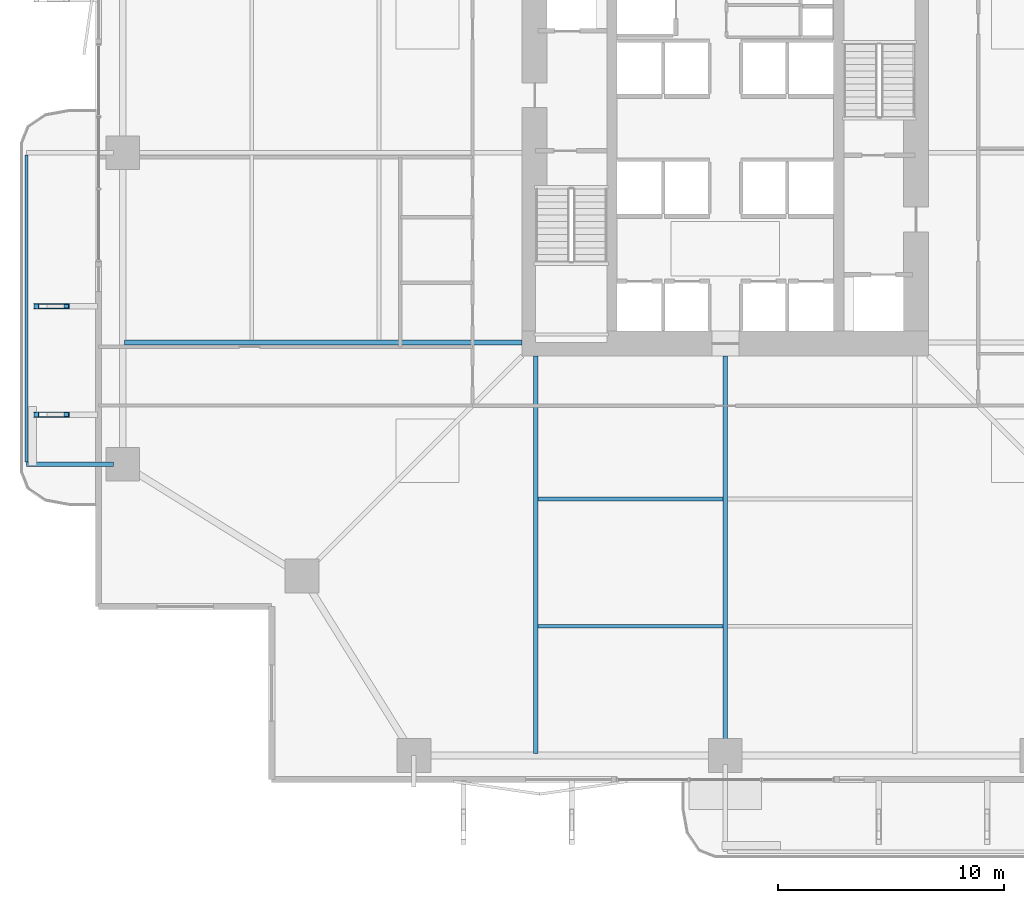
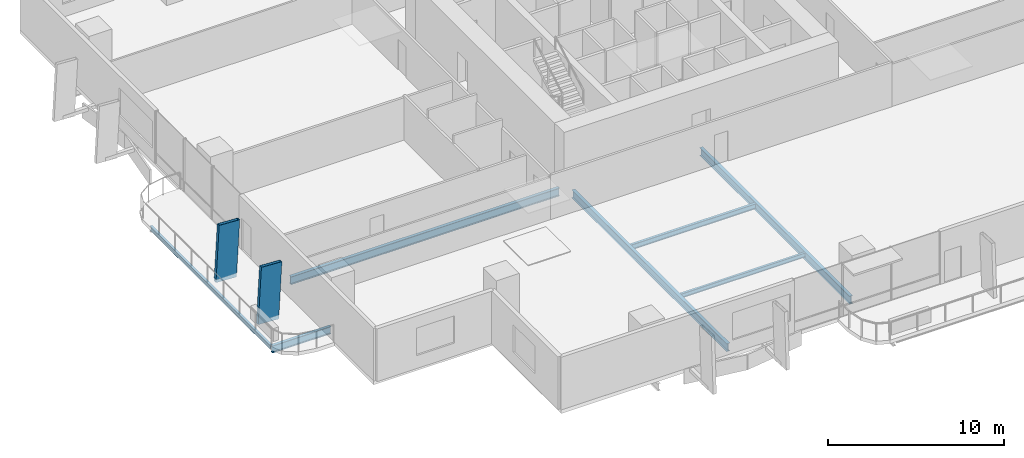
# One storey, part 3 of 23: 7 beams, 2 members.
"""IFC4 building model written with IfcOpenShell, lengths in metres."""

from ifc_helpers import new_model, si_unit, direction, frame, origin, origin_2d, place, context, subcontext, project, spatial, hollow_rectangle, i_section, extrude, material, material_profile, profile_set, type_object, element, save


model = new_model("IFC4")

# Units and contexts
model_context = context("Model", 3, precision=1e-05, world=origin(), true_north=direction((0.0, 1.0)))
body_context = subcontext(model_context, "Body", "Model", "MODEL_VIEW")
ifc_project = project(units=[si_unit("LENGTHUNIT", "METRE"), si_unit("AREAUNIT", "SQUARE_METRE"), si_unit("VOLUMEUNIT", "CUBIC_METRE"), si_unit("PLANEANGLEUNIT", "RADIAN"), si_unit("MASSUNIT", "GRAM", prefix="KILO")], contexts=[model_context])

# Site, building, storey
site_placement = place(None, origin())
site = spatial("IfcSite", under=ifc_project, at=site_placement, CompositionType="ELEMENT")
building_placement = place(site_placement, origin())
building = spatial("IfcBuilding", under=site, at=building_placement, Name="Belovzor Exchange Tower", CompositionType="ELEMENT")
storey_placement = place(building_placement, frame((0.0, 0.0, 57.300048828125)))
storey = spatial("IfcBuildingStorey", under=building, at=storey_placement, Name="L13", CompositionType="ELEMENT", Elevation=57.300048828125)

# Members
ifc_material_1 = material(Name="Extruded Architectural Terracotta on Steel S355 Carrier", Category="masonry")
ifc_material_profile_1 = material_profile(ifc_material_1, hollow_rectangle(XDim=0.219970703125, YDim=1.35009765625, WallThickness=0.013916015625, at=origin_2d()))
ifc_profile_set_1 = profile_set([ifc_material_profile_1], Name="Extruded Architectural Terracotta on Steel S355 Carrier")
member_type = type_object("IfcMemberType", Name="Base Arc Sweeping Terracotta Pylon Fin 1450", PredefinedType="USERDEFINED", material=ifc_profile_set_1)
for number, where, z_axis, x_axis, name in (
    (1, (-1.1630859375, 17.199951171875, -0.25), (0.05481915954, 0.0, 0.998496299316), (0.0, 1.0, 0.0), "FIN-TC145 Terracotta Facade Fin L13 W1"),
    (2, (-1.1630859375, 22.0, -0.25), (0.05481915954, 0.0, 0.998496299316), (0.0, 1.0, 0.0), "FIN-TC145 Terracotta Facade Fin L13 W2"),
):
    element("IfcMember", number, at=place(storey_placement, frame(where, z_axis=z_axis, x_axis=x_axis)), inside=storey, type_object=member_type, Name=name, ObjectType="FIN", PredefinedType="USERDEFINED", context=body_context, shape_type="SweptSolid", body=[
        extrude(hollow_rectangle(XDim=0.219970703125, YDim=1.35009765625, WallThickness=0.013916015625, at=origin_2d()), origin(), (0.0, 0.0, 1.0), 3.90576171875),
    ])

# Beams
ifc_material_2 = material(Name="Steel S355", Category="steel")
ifc_material_profile_2 = material_profile(ifc_material_2, i_section(OverallWidth=0.199951171875, OverallDepth=0.5, WebThickness=0.01025390625, FlangeThickness=0.01611328125, at=origin_2d()))
ifc_profile_set_2 = profile_set([ifc_material_profile_2], Name="Steel S355")
beam_type_1 = type_object("IfcBeamType", Name="Planted Balcony Cantilever Beam IPE 500", PredefinedType="BEAM", material=ifc_profile_set_2)
beam_1_placement = place(storey_placement, frame((1.68798828125, 15.0, -0.5), z_axis=(-1.0, 0.0, 0.0), x_axis=(0.0, -1.0, 0.0)))
element("IfcBeam", 3, at=beam_1_placement, inside=storey, type_object=beam_type_1, Name="BC-500 Planted Balcony Cantilever Beam IPE 500", PredefinedType="BEAM", context=body_context, shape_type="SweptSolid", body=[
    extrude(i_section(OverallWidth=0.199951171875, OverallDepth=0.5, WebThickness=0.01025390625, FlangeThickness=0.01611328125, at=origin_2d()), origin(), (0.0, 0.0, 1.0), 3.85009765625),
])
ifc_material_3 = material(Name="Steel S355", Category="steel")
ifc_material_profile_3 = material_profile(ifc_material_3, i_section(OverallWidth=0.14990234375, OverallDepth=0.300048828125, WebThickness=0.007080078125, FlangeThickness=0.0107421875, at=origin_2d()))
ifc_profile_set_3 = profile_set([ifc_material_profile_3], Name="Steel S355")
beam_type_2 = type_object("IfcBeamType", Name="Planted Balcony Fascia Edge Beam IPE 300", PredefinedType="BEAM", material=ifc_profile_set_3)
beam_2_placement = place(storey_placement, frame((-2.162109375, 28.699951171875, -0.400146484375), z_axis=(0.0, -1.0, 0.0), x_axis=(1.0, 0.0, 0.0)))
element("IfcBeam", 4, at=beam_2_placement, inside=storey, type_object=beam_type_2, Name="BC-300 Planted Balcony Fascia Edge Beam IPE 300", PredefinedType="BEAM", context=body_context, shape_type="SweptSolid", body=[
    extrude(i_section(OverallWidth=0.14990234375, OverallDepth=0.300048828125, WebThickness=0.007080078125, FlangeThickness=0.0107421875, at=origin_2d()), origin(), (0.0, 0.0, 1.0), 13.599853515625),
])
ifc_material_4 = material(Name="Steel S355", Category="steel")
ifc_material_profile_4 = material_profile(ifc_material_4, i_section(OverallWidth=0.169921875, OverallDepth=0.360107421875, WebThickness=0.008056640625, FlangeThickness=0.0126953125, at=origin_2d()))
ifc_profile_set_4 = profile_set([ifc_material_profile_4], Name="Steel S355")
beam_type_3 = type_object("IfcBeamType", Name="Secondary Infill Floor Joist IPE 360", PredefinedType="BEAM", material=ifc_profile_set_4)
beam_3_placement = place(storey_placement, frame((20.5048828125, 13.455078125, -0.429931640625), z_axis=(1.0, 0.0, 0.0), x_axis=(0.0, 1.0, 0.0)))
element("IfcBeam", 5, at=beam_3_placement, inside=storey, type_object=beam_type_3, Name="FJ-360 Secondary Infill Floor Joist IPE 360", PredefinedType="BEAM", context=body_context, shape_type="SweptSolid", body=[
    extrude(i_section(OverallWidth=0.169921875, OverallDepth=0.360107421875, WebThickness=0.008056640625, FlangeThickness=0.0126953125, at=origin_2d()), origin(), (0.0, 0.0, 1.0), 8.190185546875),
])
ifc_material_5 = material(Name="Steel S355", Category="steel")
ifc_material_profile_5 = material_profile(ifc_material_5, i_section(OverallWidth=0.14990234375, OverallDepth=0.300048828125, WebThickness=0.007080078125, FlangeThickness=0.0107421875, at=origin_2d()))
ifc_profile_set_5 = profile_set([ifc_material_profile_5], Name="Steel S355")
beam_type_4 = type_object("IfcBeamType", Name="Secondary Trim Floor Joist IPE 300", PredefinedType="BEAM", material=ifc_profile_set_5)
beam_4_placement = place(storey_placement, frame((20.5048828125, 7.81494140625, -0.400146484375), z_axis=(1.0, 0.0, 0.0), x_axis=(0.0, 1.0, 0.0)))
element("IfcBeam", 6, at=beam_4_placement, inside=storey, type_object=beam_type_4, Name="FJ-300 Secondary Trim Floor Joist IPE 300", PredefinedType="BEAM", context=body_context, shape_type="SweptSolid", body=[
    extrude(i_section(OverallWidth=0.14990234375, OverallDepth=0.300048828125, WebThickness=0.007080078125, FlangeThickness=0.0107421875, at=origin_2d()), origin(), (0.0, 0.0, 1.0), 8.190185546875),
])
ifc_material_6 = material(Name="Steel S355", Category="steel")
ifc_material_profile_6 = material_profile(ifc_material_6, i_section(OverallWidth=0.2099609375, OverallDepth=0.550048828125, WebThickness=0.010986328125, FlangeThickness=0.01708984375, at=origin_2d()))
ifc_profile_set_6 = profile_set([ifc_material_profile_6], Name="Steel S355")
beam_type_5 = type_object("IfcBeamType", Name="Zone 1 Radial Composite Floor Beam IPE 550", PredefinedType="BEAM", material=ifc_profile_set_6)
beam_5_placement = place(storey_placement, frame((20.39990234375, 19.800048828125, -0.525146484375), z_axis=(0.0, -1.0, 0.0), x_axis=(1.0, 0.0, 0.0)))
element("IfcBeam", 7, at=beam_5_placement, inside=storey, type_object=beam_type_5, Name="FB-550 Zone 1 Radial Composite Floor Beam IPE 550", PredefinedType="BEAM", context=body_context, shape_type="SweptSolid", body=[
    extrude(i_section(OverallWidth=0.2099609375, OverallDepth=0.550048828125, WebThickness=0.010986328125, FlangeThickness=0.01708984375, at=origin_2d()), origin(), (0.0, 0.0, 1.0), 17.625),
])
beam_6_placement = place(storey_placement, frame((28.800048828125, 19.800048828125, -0.525146484375), z_axis=(0.0, -1.0, 0.0), x_axis=(1.0, 0.0, 0.0)))
element("IfcBeam", 8, at=beam_6_placement, inside=storey, type_object=beam_type_5, Name="FB-550 Zone 1 Radial Composite Floor Beam IPE 550", PredefinedType="BEAM", context=body_context, shape_type="SweptSolid", body=[
    extrude(i_section(OverallWidth=0.2099609375, OverallDepth=0.550048828125, WebThickness=0.010986328125, FlangeThickness=0.01708984375, at=origin_2d()), origin(), (0.0, 0.0, 1.0), 17.0400390625),
])
beam_7_placement = place(storey_placement, frame((19.800048828125, 20.39990234375, -0.525146484375), z_axis=(-1.0, 0.0, 0.0), x_axis=(0.0, -1.0, 0.0)))
element("IfcBeam", 9, at=beam_7_placement, inside=storey, type_object=beam_type_5, Name="FB-550 Zone 1 Radial Composite Floor Beam IPE 550", PredefinedType="BEAM", context=body_context, shape_type="SweptSolid", body=[
    extrude(i_section(OverallWidth=0.2099609375, OverallDepth=0.550048828125, WebThickness=0.010986328125, FlangeThickness=0.01708984375, at=origin_2d()), origin(), (0.0, 0.0, 1.0), 17.625),
])

save(model, "model.ifc")
